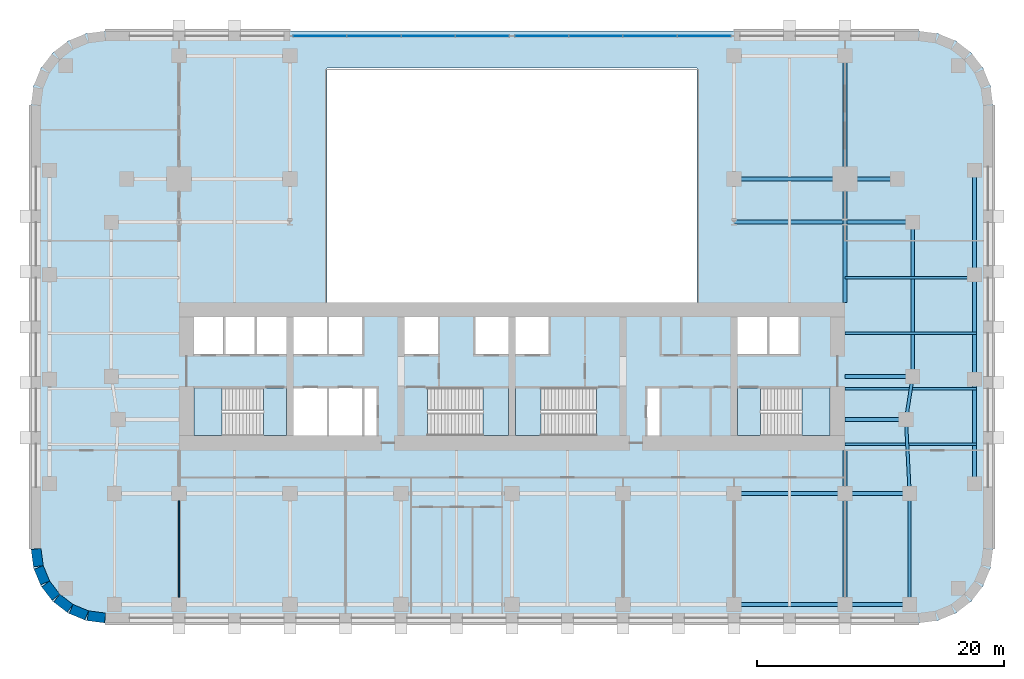
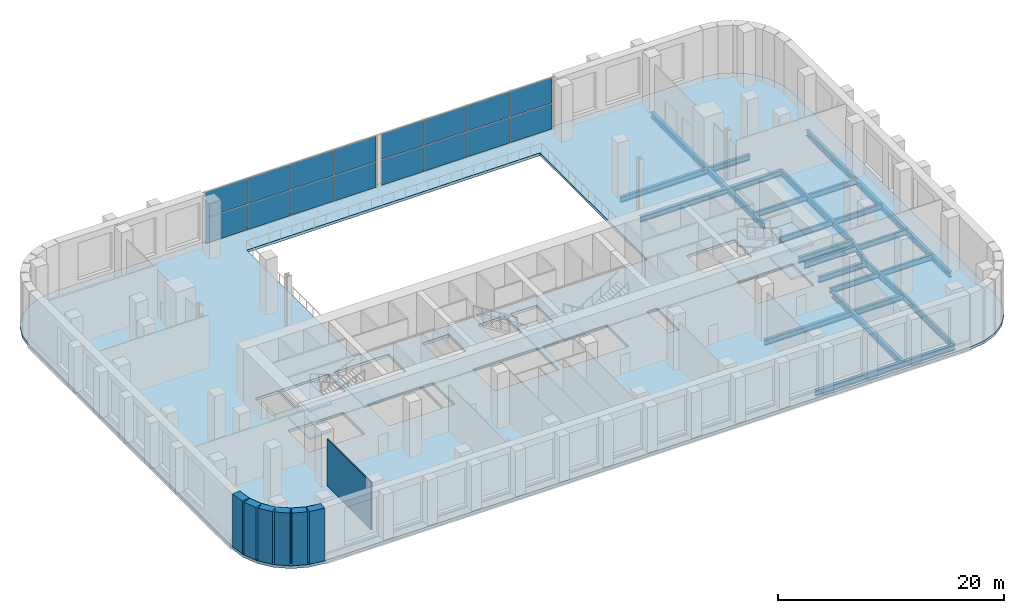
# One storey, part 3 of 13: 19 beams, 16 plates, 9 slabs, 7 walls, 6 elements without a shape of their own.
"""IFC4 building model written with IfcOpenShell, lengths in metres."""

from ifc_helpers import new_model, si_unit, direction, frame, frame_2d, origin, origin_2d, place, context, subcontext, project, spatial, polyline, rectangle, i_section, outline, extrude, material, layer, layer_set, material_profile, profile_set, type_object, element, aggregate, save


model = new_model("IFC4")

# Units and contexts
model_context = context("Model", 3, precision=1e-05, world=origin(), true_north=direction((0.0, 1.0)))
body_context = subcontext(model_context, "Body", "Model", "MODEL_VIEW")
ifc_project = project(units=[si_unit("LENGTHUNIT", "METRE"), si_unit("AREAUNIT", "SQUARE_METRE"), si_unit("VOLUMEUNIT", "CUBIC_METRE"), si_unit("PLANEANGLEUNIT", "RADIAN"), si_unit("MASSUNIT", "GRAM", prefix="KILO")], contexts=[model_context])

# Site, building, storey
site_placement = place(None, origin())
site = spatial("IfcSite", under=ifc_project, at=site_placement, CompositionType="ELEMENT")
building_placement = place(site_placement, origin())
building = spatial("IfcBuilding", under=site, at=building_placement, Name="Zellij Exchange Tower", CompositionType="ELEMENT")
storey_placement = place(building_placement, frame((0.0, 0.0, 15.0)))
storey = spatial("IfcBuildingStorey", under=building, at=storey_placement, Name="L02", CompositionType="ELEMENT", Elevation=15.0)

# Beams
ifc_material_1 = material(Name="Structural steel ASTM A992 Gr 50", Category="steel")
ifc_material_profile_1 = material_profile(ifc_material_1, i_section(OverallWidth=0.22900390625, OverallDepth=0.612060546875, WebThickness=0.011962890625, FlangeThickness=0.01953125, at=origin_2d()), Name="W24x84")
ifc_profile_set_1 = profile_set([ifc_material_profile_1], Name="Structural steel ASTM A992 Gr 50")
beam_type_1 = type_object("IfcBeamType", Name="STR-BEAM W24x84", PredefinedType="BEAM", material=ifc_profile_set_1)
for number, where, z_axis, x_axis, name in (
    (1, (27.0, -13.5, -0.606201171875), (1.0, 0.0, 0.0), (0.0, 1.0, 0.0), "B6"),
    (2, (27.0, -9.0, -0.606201171875), (1.0, 0.0, 0.0), (0.0, 1.0, 0.0), "B6"),
    (3, (27.0, -4.5, -0.606201171875), (1.0, 0.0, 0.0), (0.0, 1.0, 0.0), "B6"),
    (4, (27.0, 0.0, -0.606201171875), (1.0, 0.0, 0.0), (0.0, 1.0, 0.0), "B6"),
):
    element("IfcBeam", number, at=place(storey_placement, frame(where, z_axis=z_axis, x_axis=x_axis)), inside=storey, type_object=beam_type_1, Name=name, PredefinedType="BEAM", context=body_context, shape_type="SweptSolid", body=[
        extrude(i_section(OverallWidth=0.22900390625, OverallDepth=0.612060546875, WebThickness=0.011962890625, FlangeThickness=0.01953125, at=origin_2d()), origin(), (0.0, 0.0, 1.0), 10.66259765625),
    ])
ifc_material_profile_2 = material_profile(ifc_material_1, i_section(OverallWidth=0.25390625, OverallDepth=0.67822265625, WebThickness=0.01171875, FlangeThickness=0.016357421875, at=origin_2d()), Name="W27x84")
ifc_profile_set_2 = profile_set([ifc_material_profile_2], Name="Structural steel ASTM A992 Gr 50")
beam_type_2 = type_object("IfcBeamType", Name="STR-EDGE GIRDER W27x84", PredefinedType="BEAM", material=ifc_profile_set_2)
beam_1_placement = place(storey_placement, frame((32.25, -26.5, -0.63916015625), z_axis=(0.0, 1.0, 0.0), x_axis=(-1.0, 0.0, 0.0)))
element("IfcBeam", 5, at=beam_1_placement, inside=storey, type_object=beam_type_2, Name="EB7", PredefinedType="BEAM", context=body_context, shape_type="SweptSolid", body=[
    extrude(i_section(OverallWidth=0.25390625, OverallDepth=0.67822265625, WebThickness=0.01171875, FlangeThickness=0.016357421875, at=origin_2d()), origin(), (0.0, 0.0, 1.0), 9.0),
])
beam_2_placement = place(storey_placement, frame((32.25, -17.5, -0.63916015625), z_axis=(-0.049945724537, 0.998751933465, 0.0), x_axis=(-0.998751933465, -0.049945724537, 0.0)))
element("IfcBeam", 6, at=beam_2_placement, inside=storey, type_object=beam_type_2, Name="EB7", PredefinedType="BEAM", context=body_context, shape_type="SweptSolid", body=[
    extrude(i_section(OverallWidth=0.25390625, OverallDepth=0.67822265625, WebThickness=0.01171875, FlangeThickness=0.016357421875, at=origin_2d()), origin(), (0.0, 0.0, 1.0), 6.007568359375),
])
beam_3_placement = place(storey_placement, frame((31.949951171875, -11.5, -0.63916015625), z_axis=(0.155251283593, 0.987875011802, 0.0), x_axis=(-0.987875011802, 0.155251283593, 0.0)))
element("IfcBeam", 7, at=beam_3_placement, inside=storey, type_object=beam_type_2, Name="EB7", PredefinedType="BEAM", context=body_context, shape_type="SweptSolid", body=[
    extrude(i_section(OverallWidth=0.25390625, OverallDepth=0.67822265625, WebThickness=0.01171875, FlangeThickness=0.016357421875, at=origin_2d()), origin(), (0.0, 0.0, 1.0), 3.54296875),
])
beam_4_placement = place(storey_placement, frame((32.5, -8.0, -0.63916015625), z_axis=(0.0, 1.0, 0.0), x_axis=(-1.0, 0.0, 0.0)))
element("IfcBeam", 8, at=beam_4_placement, inside=storey, type_object=beam_type_2, Name="EB7", PredefinedType="BEAM", context=body_context, shape_type="SweptSolid", body=[
    extrude(i_section(OverallWidth=0.25390625, OverallDepth=0.67822265625, WebThickness=0.01171875, FlangeThickness=0.016357421875, at=origin_2d()), origin(), (0.0, 0.0, 1.0), 12.5),
])
ifc_material_profile_3 = material_profile(ifc_material_1, i_section(OverallWidth=0.3251953125, OverallDepth=0.612060546875, WebThickness=0.0126953125, FlangeThickness=0.01904296875, at=origin_2d()), Name="W24x104")
ifc_profile_set_3 = profile_set([ifc_material_profile_3], Name="Structural steel ASTM A992 Gr 50")
beam_type_3 = type_object("IfcBeamType", Name="STR-GIRDER W24x104", PredefinedType="BEAM", material=ifc_profile_set_3)
for number, where, z_axis, x_axis, name in (
    (9, (18.0, -26.5, -0.606201171875), (1.0, 0.0, 0.0), (0.0, 1.0, 0.0), "G3"),
    (10, (18.0, -17.5, -0.606201171875), (1.0, 0.0, 0.0), (0.0, 1.0, 0.0), "G3"),
):
    element("IfcBeam", number, at=place(storey_placement, frame(where, z_axis=z_axis, x_axis=x_axis)), inside=storey, type_object=beam_type_3, Name=name, PredefinedType="BEAM", context=body_context, shape_type="SweptSolid", body=[
        extrude(i_section(OverallWidth=0.3251953125, OverallDepth=0.612060546875, WebThickness=0.0126953125, FlangeThickness=0.01904296875, at=origin_2d()), origin(), (0.0, 0.0, 1.0), 14.25),
    ])
beam_5_placement = place(storey_placement, frame((27.0, -11.5, -0.606201171875), z_axis=(1.0, 0.0, 0.0), x_axis=(0.0, 1.0, 0.0)))
element("IfcBeam", 11, at=beam_5_placement, inside=storey, type_object=beam_type_3, Name="G3", PredefinedType="BEAM", context=body_context, shape_type="SweptSolid", body=[
    extrude(i_section(OverallWidth=0.3251953125, OverallDepth=0.612060546875, WebThickness=0.0126953125, FlangeThickness=0.01904296875, at=origin_2d()), origin(), (0.0, 0.0, 1.0), 4.949951171875),
])
beam_6_placement = place(storey_placement, frame((27.0, -8.0, -0.606201171875), z_axis=(1.0, 0.0, 0.0), x_axis=(0.0, 1.0, 0.0)))
element("IfcBeam", 12, at=beam_6_placement, inside=storey, type_object=beam_type_3, Name="G3", PredefinedType="BEAM", context=body_context, shape_type="SweptSolid", body=[
    extrude(i_section(OverallWidth=0.3251953125, OverallDepth=0.612060546875, WebThickness=0.0126953125, FlangeThickness=0.01904296875, at=origin_2d()), origin(), (0.0, 0.0, 1.0), 5.5),
])
beam_7_placement = place(storey_placement, frame((18.0, 4.5, -0.606201171875), z_axis=(1.0, 0.0, 0.0), x_axis=(0.0, 1.0, 0.0)))
element("IfcBeam", 13, at=beam_7_placement, inside=storey, type_object=beam_type_3, Name="G3", PredefinedType="BEAM", context=body_context, shape_type="SweptSolid", body=[
    extrude(i_section(OverallWidth=0.3251953125, OverallDepth=0.612060546875, WebThickness=0.0126953125, FlangeThickness=0.01904296875, at=origin_2d()), origin(), (0.0, 0.0, 1.0), 14.5),
])
beam_8_placement = place(storey_placement, frame((18.0, 8.0, -0.606201171875), z_axis=(1.0, 0.0, 0.0), x_axis=(0.0, 1.0, 0.0)))
element("IfcBeam", 14, at=beam_8_placement, inside=storey, type_object=beam_type_3, Name="G3", PredefinedType="BEAM", context=body_context, shape_type="SweptSolid", body=[
    extrude(i_section(OverallWidth=0.3251953125, OverallDepth=0.612060546875, WebThickness=0.0126953125, FlangeThickness=0.01904296875, at=origin_2d()), origin(), (0.0, 0.0, 1.0), 13.25),
])
beam_9_placement = place(storey_placement, frame((27.0, -26.5, -0.606201171875), z_axis=(0.0, 1.0, 0.0), x_axis=(-1.0, 0.0, 0.0)))
element("IfcBeam", 15, at=beam_9_placement, inside=storey, type_object=beam_type_3, Name="G3", PredefinedType="BEAM", context=body_context, shape_type="SweptSolid", body=[
    extrude(i_section(OverallWidth=0.3251953125, OverallDepth=0.612060546875, WebThickness=0.0126953125, FlangeThickness=0.01904296875, at=origin_2d()), origin(), (0.0, 0.0, 1.0), 12.5),
])
for number, where, z_axis, x_axis, name in (
    (16, (27.0, -2.0, -0.606201171875), (0.0, 1.0, 0.0), (-1.0, 0.0, 0.0), "G3"),
    (17, (27.0, 8.0, -0.606201171875), (0.0, 1.0, 0.0), (-1.0, 0.0, 0.0), "G3"),
):
    element("IfcBeam", number, at=place(storey_placement, frame(where, z_axis=z_axis, x_axis=x_axis)), inside=storey, type_object=beam_type_3, Name=name, PredefinedType="BEAM", context=body_context, shape_type="SweptSolid", body=[
        extrude(i_section(OverallWidth=0.3251953125, OverallDepth=0.612060546875, WebThickness=0.0126953125, FlangeThickness=0.01904296875, at=origin_2d()), origin(), (0.0, 0.0, 1.0), 10.0),
    ])
beam_10_placement = place(storey_placement, frame((37.5, -16.708984375, -0.606201171875), z_axis=(0.0, 1.0, 0.0), x_axis=(-1.0, 0.0, 0.0)))
element("IfcBeam", 18, at=beam_10_placement, inside=storey, type_object=beam_type_3, Name="G3", PredefinedType="BEAM", context=body_context, shape_type="SweptSolid", body=[
    extrude(i_section(OverallWidth=0.3251953125, OverallDepth=0.612060546875, WebThickness=0.0126953125, FlangeThickness=0.01904296875, at=origin_2d()), origin(), (0.0, 0.0, 1.0), 16.945068359375),
])
beam_11_placement = place(storey_placement, frame((37.5, 0.236083984375, -0.606201171875), z_axis=(0.0, 1.0, 0.0), x_axis=(-1.0, 0.0, 0.0)))
element("IfcBeam", 19, at=beam_11_placement, inside=storey, type_object=beam_type_3, Name="G3", PredefinedType="BEAM", context=body_context, shape_type="SweptSolid", body=[
    extrude(i_section(OverallWidth=0.3251953125, OverallDepth=0.612060546875, WebThickness=0.0126953125, FlangeThickness=0.01904296875, at=origin_2d()), origin(), (0.0, 0.0, 1.0), 8.472900390625),
])

# Stair, slabs
ifc_material_2 = material(Name="Concrete C40/50", Category="concrete")
stair_type = type_object("IfcStairType", Name="CORE-ST exit stair 1850 wide", PredefinedType="HALF_TURN_STAIR", material=ifc_material_2)
stair_1_placement = place(storey_placement, origin())
stair_1 = element("IfcStair", 20, at=stair_1_placement, inside=storey, type_object=stair_type, Name="L02 exit stair ST1", PredefinedType="HALF_TURN_STAIR")
ifc_layer_1 = layer(ifc_material_2, 0.199951171875)
ifc_layer_set_1 = layer_set([ifc_layer_1], Name="Concrete C40/50")
slab_type_1 = type_object("IfcSlabType", Name="CORE-SL stair landing 200", PredefinedType="LANDING", material=ifc_layer_set_1)
slab_1_placement = place(storey_placement, frame((0.0, 0.0, 1.300048828125)))
slab_1 = element("IfcSlab", 21, at=slab_1_placement, type_object=slab_type_1, Name="ST1 landing 1", PredefinedType="LANDING", context=body_context, shape_type="SweptSolid", body=[
    extrude(outline(polyline([(-23.510009765625, -8.949951171875), (-25.800048828125, -8.949951171875), (-25.800048828125, -12.800048828125), (-23.510009765625, -12.800048828125), (-23.510009765625, -8.949951171875)])), origin(), (0.0, 0.0, 1.0), 0.199951171875),
])
slab_2_placement = place(storey_placement, frame((0.0, 0.0, 2.800048828125)))
slab_2 = element("IfcSlab", 22, at=slab_2_placement, type_object=slab_type_1, Name="ST1 landing 2", PredefinedType="LANDING", context=body_context, shape_type="SweptSolid", body=[
    extrude(outline(polyline([(-18.300048828125, -8.949951171875), (-20.14990234375, -8.949951171875), (-20.14990234375, -12.800048828125), (-18.300048828125, -12.800048828125), (-18.300048828125, -8.949951171875)])), origin(), (0.0, 0.0, 1.0), 0.199951171875),
])
slab_3_placement = place(storey_placement, frame((0.0, 0.0, 4.300048828125)))
slab_3 = element("IfcSlab", 23, at=slab_3_placement, type_object=slab_type_1, Name="ST1 landing 3", PredefinedType="LANDING", context=body_context, shape_type="SweptSolid", body=[
    extrude(outline(polyline([(-23.510009765625, -8.949951171875), (-25.800048828125, -8.949951171875), (-25.800048828125, -12.800048828125), (-23.510009765625, -12.800048828125), (-23.510009765625, -8.949951171875)])), origin(), (0.0, 0.0, 1.0), 0.199951171875),
])
aggregate(stair_1, [slab_1, slab_2, slab_3])

# Stair, slab
stair_2_placement = place(storey_placement, origin())
stair_2 = element("IfcStair", 24, at=stair_2_placement, inside=storey, type_object=stair_type, Name="L02 exit stair ST2", PredefinedType="HALF_TURN_STAIR")
slab_4_placement = place(storey_placement, frame((0.0, 0.0, 2.800048828125)))
slab_4 = element("IfcSlab", 25, at=slab_4_placement, type_object=slab_type_1, Name="ST2 landing 1", PredefinedType="LANDING", context=body_context, shape_type="SweptSolid", body=[
    extrude(outline(polyline([(-2.3701171875, -12.800048828125), (-0.300048828125, -12.800048828125), (-0.300048828125, -8.949951171875), (-2.3701171875, -8.949951171875), (-2.3701171875, -12.800048828125)])), origin(), (0.0, 0.0, 1.0), 0.199951171875),
])
aggregate(stair_2, [slab_4])

stair_3_placement = place(storey_placement, origin())
stair_3 = element("IfcStair", 26, at=stair_3_placement, inside=storey, type_object=stair_type, Name="L02 exit stair ST3", PredefinedType="HALF_TURN_STAIR")
slab_5_placement = place(storey_placement, frame((0.0, 0.0, 2.800048828125)))
slab_5 = element("IfcSlab", 27, at=slab_5_placement, type_object=slab_type_1, Name="ST3 landing 1", PredefinedType="LANDING", context=body_context, shape_type="SweptSolid", body=[
    extrude(outline(polyline([(2.3701171875, -8.949951171875), (0.300048828125, -8.949951171875), (0.300048828125, -12.800048828125), (2.3701171875, -12.800048828125), (2.3701171875, -8.949951171875)])), origin(), (0.0, 0.0, 1.0), 0.199951171875),
])
aggregate(stair_3, [slab_5])

# Stair, slabs
stair_4_placement = place(storey_placement, origin())
stair_4 = element("IfcStair", 28, at=stair_4_placement, inside=storey, type_object=stair_type, Name="L02 exit stair ST4", PredefinedType="HALF_TURN_STAIR")
slab_6_placement = place(storey_placement, frame((0.0, 0.0, 1.300048828125)))
slab_6 = element("IfcSlab", 29, at=slab_6_placement, type_object=slab_type_1, Name="ST4 landing 1", PredefinedType="LANDING", context=body_context, shape_type="SweptSolid", body=[
    extrude(outline(polyline([(23.510009765625, -12.800048828125), (25.800048828125, -12.800048828125), (25.800048828125, -8.949951171875), (23.510009765625, -8.949951171875), (23.510009765625, -12.800048828125)])), origin(), (0.0, 0.0, 1.0), 0.199951171875),
])
slab_7_placement = place(storey_placement, frame((0.0, 0.0, 2.800048828125)))
slab_7 = element("IfcSlab", 30, at=slab_7_placement, type_object=slab_type_1, Name="ST4 landing 2", PredefinedType="LANDING", context=body_context, shape_type="SweptSolid", body=[
    extrude(outline(polyline([(18.300048828125, -12.800048828125), (20.14990234375, -12.800048828125), (20.14990234375, -8.949951171875), (18.300048828125, -8.949951171875), (18.300048828125, -12.800048828125)])), origin(), (0.0, 0.0, 1.0), 0.199951171875),
])
slab_8_placement = place(storey_placement, frame((0.0, 0.0, 4.300048828125)))
slab_8 = element("IfcSlab", 31, at=slab_8_placement, type_object=slab_type_1, Name="ST4 landing 3", PredefinedType="LANDING", context=body_context, shape_type="SweptSolid", body=[
    extrude(outline(polyline([(23.510009765625, -12.800048828125), (25.800048828125, -12.800048828125), (25.800048828125, -8.949951171875), (23.510009765625, -8.949951171875), (23.510009765625, -12.800048828125)])), origin(), (0.0, 0.0, 1.0), 0.199951171875),
])
aggregate(stair_4, [slab_6, slab_7, slab_8])

# Curtain wall, plates
ifc_material_3 = material(Name="Aluminium frame, clear insulating glass", Category="aluminium")
curtain_wall_type = type_object("IfcCurtainWallType", Name="ENV-CW3 Exchange-hall glazing", PredefinedType="NOTDEFINED", material=ifc_material_3)
curtain_wall_1_placement = place(storey_placement, origin())
curtain_wall_1 = element("IfcCurtainWall", 32, at=curtain_wall_1_placement, inside=storey, type_object=curtain_wall_type, Name="cw.L02.14b", PredefinedType="NOTDEFINED")
ifc_material_4 = material(Name="Insulating glass unit, clear", Category="glass")
ifc_layer_2 = layer(ifc_material_4, 0.0439453125)
ifc_layer_set_2 = layer_set([ifc_layer_2], Name="Insulating glass unit, clear")
plate_type = type_object("IfcPlateType", Name="ENV-CW3P Glazed panel 44", PredefinedType="CURTAIN_PANEL", material=ifc_layer_set_2)
plate_1_placement = place(storey_placement, frame((15.580078125, 19.60009765625, 0.080078125), z_axis=(0.0, 0.0, 1.0), x_axis=(-1.0, 0.0, 0.0)))
plate_1 = element("IfcPlate", 33, at=plate_1_placement, type_object=plate_type, Name="CW3 panel 1.1", PredefinedType="CURTAIN_PANEL", context=body_context, shape_type="SweptSolid", body=[
    extrude(rectangle(XDim=4.280029296875, YDim=0.0439453125, at=origin_2d()), origin(), (0.0, 0.0, 1.0), 2.72998046875),
])
plate_2_placement = place(storey_placement, frame((15.580078125, 19.60009765625, 2.889892578125), z_axis=(0.0, 0.0, 1.0), x_axis=(-1.0, 0.0, 0.0)))
plate_2 = element("IfcPlate", 34, at=plate_2_placement, type_object=plate_type, Name="CW3 panel 1.2", PredefinedType="CURTAIN_PANEL", context=body_context, shape_type="SweptSolid", body=[
    extrude(rectangle(XDim=4.280029296875, YDim=0.0439453125, at=origin_2d()), origin(), (0.0, 0.0, 1.0), 2.72998046875),
])
plate_3_placement = place(storey_placement, frame((11.199951171875, 19.60009765625, 0.080078125), z_axis=(0.0, 0.0, 1.0), x_axis=(-1.0, 0.0, 0.0)))
plate_3 = element("IfcPlate", 35, at=plate_3_placement, type_object=plate_type, Name="CW3 panel 2.1", PredefinedType="CURTAIN_PANEL", context=body_context, shape_type="SweptSolid", body=[
    extrude(rectangle(XDim=4.320068359375, YDim=0.0439453125, at=origin_2d()), origin(), (0.0, 0.0, 1.0), 2.72998046875),
])
plate_4_placement = place(storey_placement, frame((11.199951171875, 19.60009765625, 2.889892578125), z_axis=(0.0, 0.0, 1.0), x_axis=(-1.0, 0.0, 0.0)))
plate_4 = element("IfcPlate", 36, at=plate_4_placement, type_object=plate_type, Name="CW3 panel 2.2", PredefinedType="CURTAIN_PANEL", context=body_context, shape_type="SweptSolid", body=[
    extrude(rectangle(XDim=4.320068359375, YDim=0.0439453125, at=origin_2d()), origin(), (0.0, 0.0, 1.0), 2.72998046875),
])
plate_5_placement = place(storey_placement, frame((6.800048828125, 19.60009765625, 0.080078125), z_axis=(0.0, 0.0, 1.0), x_axis=(-1.0, 0.0, 0.0)))
plate_5 = element("IfcPlate", 37, at=plate_5_placement, type_object=plate_type, Name="CW3 panel 3.1", PredefinedType="CURTAIN_PANEL", context=body_context, shape_type="SweptSolid", body=[
    extrude(rectangle(XDim=4.320068359375, YDim=0.0439453125, at=origin_2d()), origin(), (0.0, 0.0, 1.0), 2.72998046875),
])
plate_6_placement = place(storey_placement, frame((6.800048828125, 19.60009765625, 2.889892578125), z_axis=(0.0, 0.0, 1.0), x_axis=(-1.0, 0.0, 0.0)))
plate_6 = element("IfcPlate", 38, at=plate_6_placement, type_object=plate_type, Name="CW3 panel 3.2", PredefinedType="CURTAIN_PANEL", context=body_context, shape_type="SweptSolid", body=[
    extrude(rectangle(XDim=4.320068359375, YDim=0.0439453125, at=origin_2d()), origin(), (0.0, 0.0, 1.0), 2.72998046875),
])
plate_7_placement = place(storey_placement, frame((2.419921875, 19.60009765625, 0.080078125), z_axis=(0.0, 0.0, 1.0), x_axis=(-1.0, 0.0, 0.0)))
plate_7 = element("IfcPlate", 39, at=plate_7_placement, type_object=plate_type, Name="CW3 panel 4.1", PredefinedType="CURTAIN_PANEL", context=body_context, shape_type="SweptSolid", body=[
    extrude(rectangle(XDim=4.280029296875, YDim=0.0439453125, at=origin_2d()), origin(), (0.0, 0.0, 1.0), 2.72998046875),
])
plate_8_placement = place(storey_placement, frame((2.419921875, 19.60009765625, 2.889892578125), z_axis=(0.0, 0.0, 1.0), x_axis=(-1.0, 0.0, 0.0)))
plate_8 = element("IfcPlate", 40, at=plate_8_placement, type_object=plate_type, Name="CW3 panel 4.2", PredefinedType="CURTAIN_PANEL", context=body_context, shape_type="SweptSolid", body=[
    extrude(rectangle(XDim=4.280029296875, YDim=0.0439453125, at=origin_2d()), origin(), (0.0, 0.0, 1.0), 2.72998046875),
])
aggregate(curtain_wall_1, [plate_1, plate_2, plate_3, plate_4, plate_5, plate_6, plate_7, plate_8])

curtain_wall_2_placement = place(storey_placement, origin())
curtain_wall_2 = element("IfcCurtainWall", 41, at=curtain_wall_2_placement, inside=storey, type_object=curtain_wall_type, Name="cw.L02.14c", PredefinedType="NOTDEFINED")
plate_9_placement = place(storey_placement, frame((-2.419921875, 19.60009765625, 0.080078125), z_axis=(0.0, 0.0, 1.0), x_axis=(-1.0, 0.0, 0.0)))
plate_9 = element("IfcPlate", 42, at=plate_9_placement, type_object=plate_type, Name="CW3 panel 1.1", PredefinedType="CURTAIN_PANEL", context=body_context, shape_type="SweptSolid", body=[
    extrude(rectangle(XDim=4.280029296875, YDim=0.0439453125, at=origin_2d()), origin(), (0.0, 0.0, 1.0), 2.72998046875),
])
plate_10_placement = place(storey_placement, frame((-2.419921875, 19.60009765625, 2.889892578125), z_axis=(0.0, 0.0, 1.0), x_axis=(-1.0, 0.0, 0.0)))
plate_10 = element("IfcPlate", 43, at=plate_10_placement, type_object=plate_type, Name="CW3 panel 1.2", PredefinedType="CURTAIN_PANEL", context=body_context, shape_type="SweptSolid", body=[
    extrude(rectangle(XDim=4.280029296875, YDim=0.0439453125, at=origin_2d()), origin(), (0.0, 0.0, 1.0), 2.72998046875),
])
plate_11_placement = place(storey_placement, frame((-6.800048828125, 19.60009765625, 0.080078125), z_axis=(0.0, 0.0, 1.0), x_axis=(-1.0, 0.0, 0.0)))
plate_11 = element("IfcPlate", 44, at=plate_11_placement, type_object=plate_type, Name="CW3 panel 2.1", PredefinedType="CURTAIN_PANEL", context=body_context, shape_type="SweptSolid", body=[
    extrude(rectangle(XDim=4.320068359375, YDim=0.0439453125, at=origin_2d()), origin(), (0.0, 0.0, 1.0), 2.72998046875),
])
plate_12_placement = place(storey_placement, frame((-6.800048828125, 19.60009765625, 2.889892578125), z_axis=(0.0, 0.0, 1.0), x_axis=(-1.0, 0.0, 0.0)))
plate_12 = element("IfcPlate", 45, at=plate_12_placement, type_object=plate_type, Name="CW3 panel 2.2", PredefinedType="CURTAIN_PANEL", context=body_context, shape_type="SweptSolid", body=[
    extrude(rectangle(XDim=4.320068359375, YDim=0.0439453125, at=origin_2d()), origin(), (0.0, 0.0, 1.0), 2.72998046875),
])
plate_13_placement = place(storey_placement, frame((-11.199951171875, 19.60009765625, 0.080078125), z_axis=(0.0, 0.0, 1.0), x_axis=(-1.0, 0.0, 0.0)))
plate_13 = element("IfcPlate", 46, at=plate_13_placement, type_object=plate_type, Name="CW3 panel 3.1", PredefinedType="CURTAIN_PANEL", context=body_context, shape_type="SweptSolid", body=[
    extrude(rectangle(XDim=4.320068359375, YDim=0.0439453125, at=origin_2d()), origin(), (0.0, 0.0, 1.0), 2.72998046875),
])
plate_14_placement = place(storey_placement, frame((-11.199951171875, 19.60009765625, 2.889892578125), z_axis=(0.0, 0.0, 1.0), x_axis=(-1.0, 0.0, 0.0)))
plate_14 = element("IfcPlate", 47, at=plate_14_placement, type_object=plate_type, Name="CW3 panel 3.2", PredefinedType="CURTAIN_PANEL", context=body_context, shape_type="SweptSolid", body=[
    extrude(rectangle(XDim=4.320068359375, YDim=0.0439453125, at=origin_2d()), origin(), (0.0, 0.0, 1.0), 2.72998046875),
])
plate_15_placement = place(storey_placement, frame((-15.580078125, 19.60009765625, 0.080078125), z_axis=(0.0, 0.0, 1.0), x_axis=(-1.0, 0.0, 0.0)))
plate_15 = element("IfcPlate", 48, at=plate_15_placement, type_object=plate_type, Name="CW3 panel 4.1", PredefinedType="CURTAIN_PANEL", context=body_context, shape_type="SweptSolid", body=[
    extrude(rectangle(XDim=4.280029296875, YDim=0.0439453125, at=origin_2d()), origin(), (0.0, 0.0, 1.0), 2.72998046875),
])
plate_16_placement = place(storey_placement, frame((-15.580078125, 19.60009765625, 2.889892578125), z_axis=(0.0, 0.0, 1.0), x_axis=(-1.0, 0.0, 0.0)))
plate_16 = element("IfcPlate", 49, at=plate_16_placement, type_object=plate_type, Name="CW3 panel 4.2", PredefinedType="CURTAIN_PANEL", context=body_context, shape_type="SweptSolid", body=[
    extrude(rectangle(XDim=4.280029296875, YDim=0.0439453125, at=origin_2d()), origin(), (0.0, 0.0, 1.0), 2.72998046875),
])
aggregate(curtain_wall_2, [plate_9, plate_10, plate_11, plate_12, plate_13, plate_14, plate_15, plate_16])

# Slab
ifc_material_5 = material(Name="Concrete C50/60", Category="concrete")
ifc_layer_3 = layer(ifc_material_5, 0.300048828125)
ifc_layer_set_3 = layer_set([ifc_layer_3], Name="Concrete C50/60")
slab_type_2 = type_object("IfcSlabType", Name="STR-FLOOR SLAB 300 C50/60", PredefinedType="FLOOR", material=ifc_layer_set_3)
slab_9_placement = place(storey_placement, frame((0.0, 0.0, -0.300048828125)))
element("IfcSlab", 50, at=slab_9_placement, inside=storey, type_object=slab_type_2, Name="Floor L02", PredefinedType="FLOOR", context=body_context, shape_type="SweptSolid", body=[
    extrude(outline(polyline([(-33.0, -28.0), (-34.552978515625, -27.795654296875), (-36.0, -27.1962890625), (-37.24267578125, -26.24267578125), (-38.1962890625, -25.0), (-38.795654296875, -23.552978515625), (-39.0, -22.0), (-39.0, 14.0), (-38.795654296875, 15.552978515625), (-38.1962890625, 17.0), (-37.24267578125, 18.24267578125), (-36.0, 19.1962890625), (-34.552978515625, 19.795654296875), (-33.0, 20.0), (33.0, 20.0), (34.552978515625, 19.795654296875), (36.0, 19.1962890625), (37.24267578125, 18.24267578125), (38.1962890625, 17.0), (38.795654296875, 15.552978515625), (39.0, 14.0), (39.0, -22.0), (38.795654296875, -23.552978515625), (38.1962890625, -25.0), (37.24267578125, -26.24267578125), (36.0, -27.1962890625), (34.552978515625, -27.795654296875), (33.0, -28.0), (-33.0, -28.0)]), holes=[polyline([(-25.800048828125, -8.949951171875), (-25.800048828125, -12.800048828125), (-20.153076171875, -12.800048828125), (-20.153076171875, -8.949951171875), (-25.800048828125, -8.949951171875)]), polyline([(-12.14990234375, -8.949951171875), (-17.699951171875, -8.949951171875), (-17.699951171875, -12.800048828125), (-12.14990234375, -12.800048828125), (-12.14990234375, -8.949951171875)]), polyline([(-10.949951171875, -8.949951171875), (-12.0, -8.949951171875), (-12.0, -12.800048828125), (-10.949951171875, -12.800048828125), (-10.949951171875, -8.949951171875)]), polyline([(-0.300048828125, -8.949951171875), (-6.846923828125, -8.949951171875), (-6.846923828125, -12.800048828125), (-0.300048828125, -12.800048828125), (-0.300048828125, -8.949951171875)]), polyline([(-23.39990234375, -3.199951171875), (-25.800048828125, -3.199951171875), (-25.800048828125, -6.22509765625), (-23.39990234375, -6.22509765625), (-23.39990234375, -3.199951171875)]), polyline([(-18.300048828125, -3.199951171875), (-23.25, -3.199951171875), (-23.25, -6.22509765625), (-18.300048828125, -6.22509765625), (-18.300048828125, -3.199951171875)]), polyline([(-12.14990234375, -3.199951171875), (-17.699951171875, -3.199951171875), (-17.699951171875, -6.22509765625), (-12.14990234375, -6.22509765625), (-12.14990234375, -3.199951171875)]), polyline([(-6.0, -3.199951171875), (-8.699951171875, -3.199951171875), (-8.699951171875, -6.22509765625), (-6.0, -6.22509765625), (-6.0, -3.199951171875)]), polyline([(6.846923828125, -8.949951171875), (0.300048828125, -8.949951171875), (0.300048828125, -12.800048828125), (6.846923828125, -12.800048828125), (6.846923828125, -8.949951171875)]), polyline([(12.0, -8.949951171875), (10.949951171875, -8.949951171875), (10.949951171875, -12.800048828125), (12.0, -12.800048828125), (12.0, -8.949951171875)]), polyline([(25.800048828125, -8.949951171875), (20.153076171875, -8.949951171875), (20.153076171875, -12.800048828125), (25.800048828125, -12.800048828125), (25.800048828125, -8.949951171875)]), polyline([(-0.300048828125, -3.199951171875), (-3.0, -3.199951171875), (-3.0, -6.22509765625), (-0.300048828125, -6.22509765625), (-0.300048828125, -3.199951171875)]), polyline([(3.0, -3.199951171875), (0.300048828125, -3.199951171875), (0.300048828125, -6.22509765625), (3.0, -6.22509765625), (3.0, -3.199951171875)]), polyline([(23.25, -3.199951171875), (18.300048828125, -3.199951171875), (18.300048828125, -6.22509765625), (23.25, -6.22509765625), (23.25, -3.199951171875)]), polyline([(15.0, 17.0), (-15.0, 17.0), (-15.0, -2.0), (15.0, -2.0), (15.0, 17.0)])]), origin(), (0.0, 0.0, 1.0), 0.300048828125),
])

# Walls
ifc_material_6 = material(Name="Precast concrete C40/50", Category="concrete")
ifc_layer_4 = layer(ifc_material_6, 0.800048828125)
ifc_layer_set_4 = layer_set([ifc_layer_4], Name="Precast concrete C40/50")
wall_type_1 = type_object("IfcWallType", Name="ENV-EW1 Precast stone-piered wall 800", PredefinedType="SOLIDWALL", material=ifc_layer_set_4)
wall_1_placement = place(storey_placement, frame((-38.5966796875, -21.999755859375, 0.0), z_axis=(0.0, 0.0, 1.0), x_axis=(0.130517283865, -0.99144603414, 0.0)))
element("IfcWall", 51, at=wall_1_placement, inside=storey, type_object=wall_type_1, Name="fac.L02.22", PredefinedType="SOLIDWALL", context=body_context, shape_type="SweptSolid", body=[
    extrude(rectangle(XDim=1.408447265625, YDim=0.800048828125, at=frame_2d((0.7041015625, 0.0))), origin(), (0.0, 0.0, 1.0), 5.699951171875),
])
wall_2_placement = place(storey_placement, frame((-38.3857421875, -23.497314453125, 0.0), z_axis=(0.0, 0.0, 1.0), x_axis=(0.38276009378, -0.923847774587, 0.0)))
element("IfcWall", 52, at=wall_2_placement, inside=storey, type_object=wall_type_1, Name="fac.L02.23", PredefinedType="SOLIDWALL", context=body_context, shape_type="SweptSolid", body=[
    extrude(rectangle(XDim=1.35546875, YDim=0.800048828125, at=frame_2d((0.677734375, 0.0))), origin(), (0.0, 0.0, 1.0), 5.699951171875),
])
for number, where, z_axis, x_axis, name in (
    (53, (-37.814697265625, -24.840087890625, 0.0), (0.0, 0.0, 1.0), (0.608866226366, -0.793272915452, 0.0), "fac.L02.24"),
    (54, (-36.91552734375, -25.9892578125, 0.0), (0.0, 0.0, 1.0), (0.793272915452, -0.608866226366, 0.0), "fac.L02.25"),
):
    element("IfcWall", number, at=place(storey_placement, frame(where, z_axis=z_axis, x_axis=x_axis)), inside=storey, type_object=wall_type_1, Name=name, PredefinedType="SOLIDWALL", context=body_context, shape_type="SweptSolid", body=[
        extrude(rectangle(XDim=1.355712890625, YDim=0.800048828125, at=frame_2d((0.677734375, 0.0))), origin(), (0.0, 0.0, 1.0), 5.699951171875),
    ])
wall_3_placement = place(storey_placement, frame((-35.74951171875, -26.866943359375, 0.0), z_axis=(0.0, 0.0, 1.0), x_axis=(0.923847774587, -0.38276009378, 0.0)))
element("IfcWall", 55, at=wall_3_placement, inside=storey, type_object=wall_type_1, Name="fac.L02.26", PredefinedType="SOLIDWALL", context=body_context, shape_type="SweptSolid", body=[
    extrude(rectangle(XDim=1.35546875, YDim=0.800048828125, at=frame_2d((0.677734375, 0.0))), origin(), (0.0, 0.0, 1.0), 5.699951171875),
])
wall_4_placement = place(storey_placement, frame((-34.396240234375, -27.412841796875, 0.0), z_axis=(0.0, 0.0, 1.0), x_axis=(0.99144603414, -0.130517283865, 0.0)))
element("IfcWall", 56, at=wall_4_placement, inside=storey, type_object=wall_type_1, Name="fac.L02.27", PredefinedType="SOLIDWALL", context=body_context, shape_type="SweptSolid", body=[
    extrude(rectangle(XDim=1.408447265625, YDim=0.800048828125, at=frame_2d((0.7041015625, 0.0))), origin(), (0.0, 0.0, 1.0), 5.699951171875),
])
ifc_material_7 = material(Name="Gypsum board partition on steel studs", Category="steel")
ifc_layer_5 = layer(ifc_material_7, 0.10009765625)
ifc_layer_set_5 = layer_set([ifc_layer_5], Name="Gypsum board partition on steel studs")
wall_type_2 = type_object("IfcWallType", Name="FIT-PARTITION-100", PredefinedType="PARTITIONING", material=ifc_layer_set_5)
wall_5_placement = place(storey_placement, frame((-27.0, -25.89990234375, 0.0), z_axis=(0.0, 0.0, 1.0), x_axis=(0.0, 1.0, 0.0)))
element("IfcWall", 57, at=wall_5_placement, inside=storey, type_object=wall_type_2, Name="FIT-PARTITION-100 001", PredefinedType="PARTITIONING", context=body_context, shape_type="SweptSolid", body=[
    extrude(rectangle(XDim=7.7998046875, YDim=0.10009765625, at=frame_2d((3.89990234375, 0.0))), origin(), (0.0, 0.0, 1.0), 5.087890625),
])

save(model, "model.ifc")
